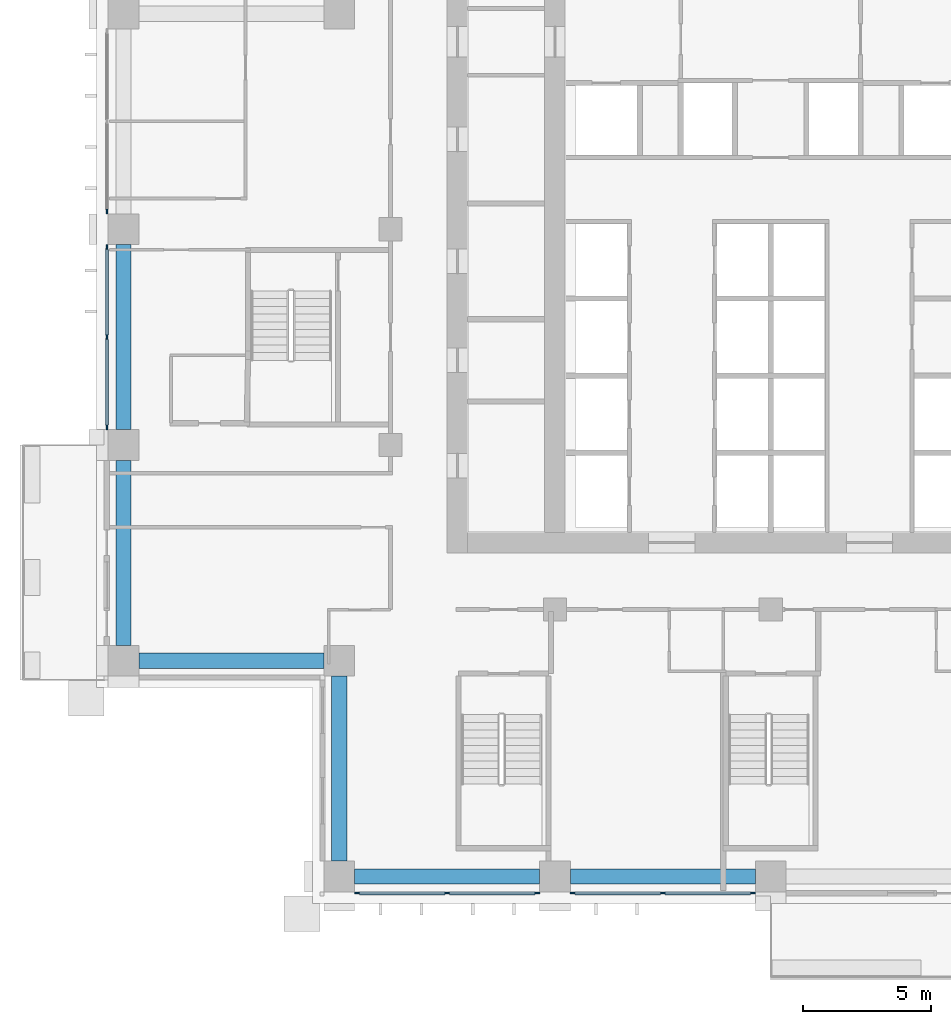
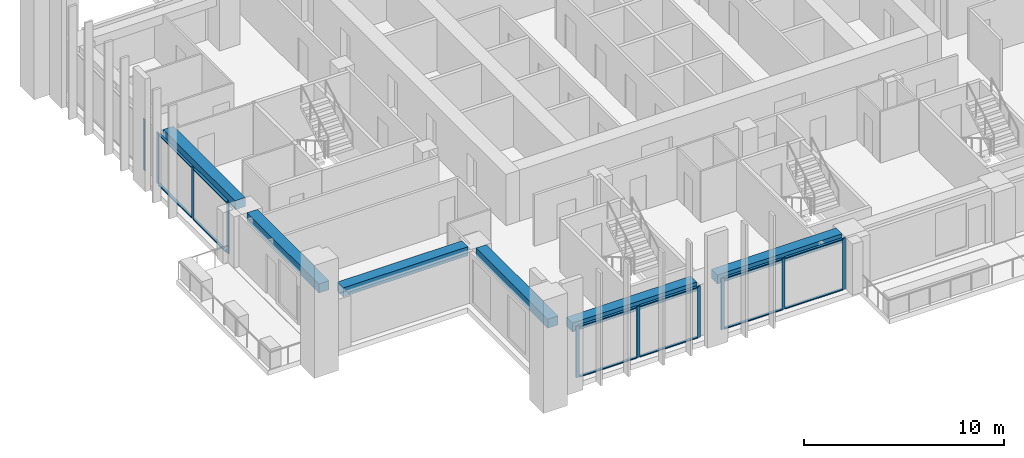
# One storey, part 2 of 19: 22 members, 6 beams, 4 elements without a shape of their own.
"""IFC4 building model written with IfcOpenShell, lengths in metres."""

from ifc_helpers import new_model, si_unit, direction, frame, origin, origin_2d, place, context, subcontext, project, spatial, rectangle, extrude, material, material_profile, profile_set, type_object, element, aggregate, save


model = new_model("IFC4")

# Units and contexts
model_context = context("Model", 3, precision=1e-05, world=origin(), true_north=direction((0.0, 1.0)))
body_context = subcontext(model_context, "Body", "Model", "MODEL_VIEW")
ifc_project = project(units=[si_unit("LENGTHUNIT", "METRE"), si_unit("AREAUNIT", "SQUARE_METRE"), si_unit("VOLUMEUNIT", "CUBIC_METRE"), si_unit("PLANEANGLEUNIT", "RADIAN"), si_unit("MASSUNIT", "GRAM", prefix="KILO")], contexts=[model_context])

# Site, building, storey
site_placement = place(None, origin())
site = spatial("IfcSite", under=ifc_project, at=site_placement, CompositionType="ELEMENT")
building_placement = place(site_placement, origin())
building = spatial("IfcBuilding", under=site, at=building_placement, Name="Vermilion Ogive Tower", CompositionType="ELEMENT")
storey_placement = place(building_placement, frame((0.0, 0.0, 90.75)))
storey = spatial("IfcBuildingStorey", under=building, at=storey_placement, Name="L22", CompositionType="ELEMENT", Elevation=90.75)

# Curtain wall, members
ifc_material_1 = material(Name="Low-iron laminated glazing in aluminium frame", Category="aluminium")
curtain_wall_type = type_object("IfcCurtainWallType", Name="Curtain wall CW7", PredefinedType="NOTDEFINED", material=ifc_material_1)
curtain_wall_1_placement = place(storey_placement, origin())
curtain_wall_1 = element("IfcCurtainWall", 1, at=curtain_wall_1_placement, inside=storey, type_object=curtain_wall_type, Name="Glazed skin S1", PredefinedType="NOTDEFINED")
ifc_material_2 = material(Name="Aluminium mullion", Category="aluminium")
ifc_material_profile_1 = material_profile(ifc_material_2, rectangle(XDim=0.06005859375, YDim=0.179931640625, at=origin_2d()), Name="AL 60x180")
ifc_profile_set_1 = profile_set([ifc_material_profile_1], Name="Aluminium mullion")
member_type_1 = type_object("IfcMemberType", Name="CW7 mullion 60x180", PredefinedType="MULLION", material=ifc_profile_set_1)
member_1_placement = place(storey_placement, frame((-16.110107421875, -21.64990234375, 0.0), z_axis=(0.0, 0.0, 1.0), x_axis=(0.0, 1.0, 0.0)))
member_1 = element("IfcMember", 2, at=member_1_placement, type_object=member_type_1, Name="CW7-S1 mullion 1", PredefinedType="MULLION", context=body_context, shape_type="SweptSolid", body=[
    extrude(rectangle(XDim=0.06005859375, YDim=0.179931640625, at=origin_2d()), origin(), (0.0, 0.0, 1.0), 3.1298828125),
])
member_2_placement = place(storey_placement, frame((-12.60009765625, -21.64990234375, 0.0), z_axis=(0.0, 0.0, 1.0), x_axis=(0.0, 1.0, 0.0)))
member_2 = element("IfcMember", 3, at=member_2_placement, type_object=member_type_1, Name="CW7-S1 mullion 2", PredefinedType="MULLION", context=body_context, shape_type="SweptSolid", body=[
    extrude(rectangle(XDim=0.06005859375, YDim=0.179931640625, at=origin_2d()), origin(), (0.0, 0.0, 1.0), 3.1298828125),
])
member_3_placement = place(storey_placement, frame((-9.090087890625, -21.64990234375, 0.0), z_axis=(0.0, 0.0, 1.0), x_axis=(0.0, 1.0, 0.0)))
member_3 = element("IfcMember", 4, at=member_3_placement, type_object=member_type_1, Name="CW7-S1 mullion 3", PredefinedType="MULLION", context=body_context, shape_type="SweptSolid", body=[
    extrude(rectangle(XDim=0.06005859375, YDim=0.179931640625, at=origin_2d()), origin(), (0.0, 0.0, 1.0), 3.1298828125),
])

curtain_wall_2_placement = place(storey_placement, origin())
curtain_wall_2 = element("IfcCurtainWall", 5, at=curtain_wall_2_placement, inside=storey, type_object=curtain_wall_type, Name="Glazed skin S2", PredefinedType="NOTDEFINED")
member_4_placement = place(storey_placement, frame((-7.7099609375, -21.64990234375, 0.0), z_axis=(0.0, 0.0, 1.0), x_axis=(0.0, 1.0, 0.0)))
member_4 = element("IfcMember", 6, at=member_4_placement, type_object=member_type_1, Name="CW7-S2 mullion 1", PredefinedType="MULLION", context=body_context, shape_type="SweptSolid", body=[
    extrude(rectangle(XDim=0.06005859375, YDim=0.179931640625, at=origin_2d()), origin(), (0.0, 0.0, 1.0), 3.1298828125),
])
member_5_placement = place(storey_placement, frame((-4.199951171875, -21.64990234375, 0.0), z_axis=(0.0, 0.0, 1.0), x_axis=(0.0, 1.0, 0.0)))
member_5 = element("IfcMember", 7, at=member_5_placement, type_object=member_type_1, Name="CW7-S2 mullion 2", PredefinedType="MULLION", context=body_context, shape_type="SweptSolid", body=[
    extrude(rectangle(XDim=0.06005859375, YDim=0.179931640625, at=origin_2d()), origin(), (0.0, 0.0, 1.0), 3.1298828125),
])
member_6_placement = place(storey_placement, frame((-0.68994140625, -21.64990234375, 0.0), z_axis=(0.0, 0.0, 1.0), x_axis=(0.0, 1.0, 0.0)))
member_6 = element("IfcMember", 8, at=member_6_placement, type_object=member_type_1, Name="CW7-S2 mullion 3", PredefinedType="MULLION", context=body_context, shape_type="SweptSolid", body=[
    extrude(rectangle(XDim=0.06005859375, YDim=0.179931640625, at=origin_2d()), origin(), (0.0, 0.0, 1.0), 3.1298828125),
])

# Curtain wall, member
curtain_wall_3_placement = place(storey_placement, origin())
curtain_wall_3 = element("IfcCurtainWall", 9, at=curtain_wall_3_placement, inside=storey, type_object=curtain_wall_type, Name="Glazed skin W1", PredefinedType="NOTDEFINED")
member_7_placement = place(storey_placement, frame((-25.85009765625, 4.889892578125, 0.0), z_axis=(0.0, 0.0, 1.0), x_axis=(1.0, 0.0, 0.0)))
member_7 = element("IfcMember", 10, at=member_7_placement, type_object=member_type_1, Name="CW7-W1 mullion 3", PredefinedType="MULLION", context=body_context, shape_type="SweptSolid", body=[
    extrude(rectangle(XDim=0.06005859375, YDim=0.179931640625, at=origin_2d()), origin(), (0.0, 0.0, 1.0), 3.1298828125),
])
aggregate(curtain_wall_3, [member_7])

# Curtain wall, members
curtain_wall_4_placement = place(storey_placement, origin())
curtain_wall_4 = element("IfcCurtainWall", 11, at=curtain_wall_4_placement, inside=storey, type_object=curtain_wall_type, Name="Glazed skin W2", PredefinedType="NOTDEFINED")
member_8_placement = place(storey_placement, frame((-25.85009765625, 3.510009765625, 0.0), z_axis=(0.0, 0.0, 1.0), x_axis=(1.0, 0.0, 0.0)))
member_8 = element("IfcMember", 12, at=member_8_placement, type_object=member_type_1, Name="CW7-W2 mullion 1", PredefinedType="MULLION", context=body_context, shape_type="SweptSolid", body=[
    extrude(rectangle(XDim=0.06005859375, YDim=0.179931640625, at=origin_2d()), origin(), (0.0, 0.0, 1.0), 3.1298828125),
])
member_9_placement = place(storey_placement, frame((-25.85009765625, 0.0, 0.0), z_axis=(0.0, 0.0, 1.0), x_axis=(1.0, 0.0, 0.0)))
member_9 = element("IfcMember", 13, at=member_9_placement, type_object=member_type_1, Name="CW7-W2 mullion 2", PredefinedType="MULLION", context=body_context, shape_type="SweptSolid", body=[
    extrude(rectangle(XDim=0.06005859375, YDim=0.179931640625, at=origin_2d()), origin(), (0.0, 0.0, 1.0), 3.1298828125),
])
member_10_placement = place(storey_placement, frame((-25.85009765625, -3.510009765625, 0.0), z_axis=(0.0, 0.0, 1.0), x_axis=(1.0, 0.0, 0.0)))
member_10 = element("IfcMember", 14, at=member_10_placement, type_object=member_type_1, Name="CW7-W2 mullion 3", PredefinedType="MULLION", context=body_context, shape_type="SweptSolid", body=[
    extrude(rectangle(XDim=0.06005859375, YDim=0.179931640625, at=origin_2d()), origin(), (0.0, 0.0, 1.0), 3.1298828125),
])

# Member
ifc_material_3 = material(Name="Aluminium transom", Category="aluminium")
ifc_material_profile_2 = material_profile(ifc_material_3, rectangle(XDim=0.139892578125, YDim=0.06005859375, at=origin_2d()), Name="AL 60x140")
ifc_profile_set_2 = profile_set([ifc_material_profile_2], Name="Aluminium transom")
member_type_2 = type_object("IfcMemberType", Name="CW7 transom 60x140", PredefinedType="USERDEFINED", material=ifc_profile_set_2)
member_11_placement = place(storey_placement, frame((-16.02001953125, -21.64990234375, 0.030029296875), z_axis=(1.0, 0.0, 0.0), x_axis=(0.0, 1.0, 0.0)))
member_11 = element("IfcMember", 15, at=member_11_placement, type_object=member_type_2, Name="CW7-S1 transom 1.1", ObjectType="TRANSOM", PredefinedType="USERDEFINED", context=body_context, shape_type="SweptSolid", body=[
    extrude(rectangle(XDim=0.139892578125, YDim=0.06005859375, at=origin_2d()), origin(), (0.0, 0.0, 1.0), 3.330078125),
])

member_12_placement = place(storey_placement, frame((-16.02001953125, -21.64990234375, 3.10009765625), z_axis=(1.0, 0.0, 0.0), x_axis=(0.0, 1.0, 0.0)))
member_12 = element("IfcMember", 16, at=member_12_placement, type_object=member_type_2, Name="CW7-S1 transom 1.2", ObjectType="TRANSOM", PredefinedType="USERDEFINED", context=body_context, shape_type="SweptSolid", body=[
    extrude(rectangle(XDim=0.139892578125, YDim=0.06005859375, at=origin_2d()), origin(), (0.0, 0.0, 1.0), 3.330078125),
])

member_13_placement = place(storey_placement, frame((-12.510009765625, -21.64990234375, 0.030029296875), z_axis=(1.0, 0.0, 0.0), x_axis=(0.0, 1.0, 0.0)))
member_13 = element("IfcMember", 17, at=member_13_placement, type_object=member_type_2, Name="CW7-S1 transom 2.1", ObjectType="TRANSOM", PredefinedType="USERDEFINED", context=body_context, shape_type="SweptSolid", body=[
    extrude(rectangle(XDim=0.139892578125, YDim=0.06005859375, at=origin_2d()), origin(), (0.0, 0.0, 1.0), 3.330078125),
])

member_14_placement = place(storey_placement, frame((-12.510009765625, -21.64990234375, 3.10009765625), z_axis=(1.0, 0.0, 0.0), x_axis=(0.0, 1.0, 0.0)))
member_14 = element("IfcMember", 18, at=member_14_placement, type_object=member_type_2, Name="CW7-S1 transom 2.2", ObjectType="TRANSOM", PredefinedType="USERDEFINED", context=body_context, shape_type="SweptSolid", body=[
    extrude(rectangle(XDim=0.139892578125, YDim=0.06005859375, at=origin_2d()), origin(), (0.0, 0.0, 1.0), 3.330078125),
])

aggregate(curtain_wall_1, [member_1, member_2, member_3, member_11, member_12, member_13, member_14])

member_15_placement = place(storey_placement, frame((-7.6201171875, -21.64990234375, 0.030029296875), z_axis=(1.0, 0.0, 0.0), x_axis=(0.0, 1.0, 0.0)))
member_15 = element("IfcMember", 19, at=member_15_placement, type_object=member_type_2, Name="CW7-S2 transom 1.1", ObjectType="TRANSOM", PredefinedType="USERDEFINED", context=body_context, shape_type="SweptSolid", body=[
    extrude(rectangle(XDim=0.139892578125, YDim=0.06005859375, at=origin_2d()), origin(), (0.0, 0.0, 1.0), 3.330078125),
])

member_16_placement = place(storey_placement, frame((-7.6201171875, -21.64990234375, 3.10009765625), z_axis=(1.0, 0.0, 0.0), x_axis=(0.0, 1.0, 0.0)))
member_16 = element("IfcMember", 20, at=member_16_placement, type_object=member_type_2, Name="CW7-S2 transom 1.2", ObjectType="TRANSOM", PredefinedType="USERDEFINED", context=body_context, shape_type="SweptSolid", body=[
    extrude(rectangle(XDim=0.139892578125, YDim=0.06005859375, at=origin_2d()), origin(), (0.0, 0.0, 1.0), 3.330078125),
])

member_17_placement = place(storey_placement, frame((-4.110107421875, -21.64990234375, 0.030029296875), z_axis=(1.0, 0.0, 0.0), x_axis=(0.0, 1.0, 0.0)))
member_17 = element("IfcMember", 21, at=member_17_placement, type_object=member_type_2, Name="CW7-S2 transom 2.1", ObjectType="TRANSOM", PredefinedType="USERDEFINED", context=body_context, shape_type="SweptSolid", body=[
    extrude(rectangle(XDim=0.139892578125, YDim=0.06005859375, at=origin_2d()), origin(), (0.0, 0.0, 1.0), 3.330078125),
])

member_18_placement = place(storey_placement, frame((-4.110107421875, -21.64990234375, 3.10009765625), z_axis=(1.0, 0.0, 0.0), x_axis=(0.0, 1.0, 0.0)))
member_18 = element("IfcMember", 22, at=member_18_placement, type_object=member_type_2, Name="CW7-S2 transom 2.2", ObjectType="TRANSOM", PredefinedType="USERDEFINED", context=body_context, shape_type="SweptSolid", body=[
    extrude(rectangle(XDim=0.139892578125, YDim=0.06005859375, at=origin_2d()), origin(), (0.0, 0.0, 1.0), 3.330078125),
])

aggregate(curtain_wall_2, [member_4, member_5, member_6, member_15, member_16, member_17, member_18])

member_19_placement = place(storey_placement, frame((-25.85009765625, 3.419921875, 0.030029296875), z_axis=(0.0, -1.0, 0.0), x_axis=(1.0, 0.0, 0.0)))
member_19 = element("IfcMember", 23, at=member_19_placement, type_object=member_type_2, Name="CW7-W2 transom 1.1", ObjectType="TRANSOM", PredefinedType="USERDEFINED", context=body_context, shape_type="SweptSolid", body=[
    extrude(rectangle(XDim=0.139892578125, YDim=0.06005859375, at=origin_2d()), origin(), (0.0, 0.0, 1.0), 3.329833984375),
])

member_20_placement = place(storey_placement, frame((-25.85009765625, 3.419921875, 3.10009765625), z_axis=(0.0, -1.0, 0.0), x_axis=(1.0, 0.0, 0.0)))
member_20 = element("IfcMember", 24, at=member_20_placement, type_object=member_type_2, Name="CW7-W2 transom 1.2", ObjectType="TRANSOM", PredefinedType="USERDEFINED", context=body_context, shape_type="SweptSolid", body=[
    extrude(rectangle(XDim=0.139892578125, YDim=0.06005859375, at=origin_2d()), origin(), (0.0, 0.0, 1.0), 3.329833984375),
])

member_21_placement = place(storey_placement, frame((-25.85009765625, -0.090087890625, 0.030029296875), z_axis=(0.0, -1.0, 0.0), x_axis=(1.0, 0.0, 0.0)))
member_21 = element("IfcMember", 25, at=member_21_placement, type_object=member_type_2, Name="CW7-W2 transom 2.1", ObjectType="TRANSOM", PredefinedType="USERDEFINED", context=body_context, shape_type="SweptSolid", body=[
    extrude(rectangle(XDim=0.139892578125, YDim=0.06005859375, at=origin_2d()), origin(), (0.0, 0.0, 1.0), 3.329833984375),
])

member_22_placement = place(storey_placement, frame((-25.85009765625, -0.090087890625, 3.10009765625), z_axis=(0.0, -1.0, 0.0), x_axis=(1.0, 0.0, 0.0)))
member_22 = element("IfcMember", 26, at=member_22_placement, type_object=member_type_2, Name="CW7-W2 transom 2.2", ObjectType="TRANSOM", PredefinedType="USERDEFINED", context=body_context, shape_type="SweptSolid", body=[
    extrude(rectangle(XDim=0.139892578125, YDim=0.06005859375, at=origin_2d()), origin(), (0.0, 0.0, 1.0), 3.329833984375),
])

aggregate(curtain_wall_4, [member_8, member_9, member_10, member_19, member_20, member_21, member_22])

# Beams
ifc_material_4 = material(Name="Concrete B45", Category="concrete")
ifc_material_profile_3 = material_profile(ifc_material_4, rectangle(XDim=0.60009765625, YDim=0.550048828125, at=origin_2d()), Name="600 x 550")
ifc_profile_set_3 = profile_set([ifc_material_profile_3], Name="Concrete B45")
beam_type = type_object("IfcBeamType", Name="Edge beam 600 x 550 B45", PredefinedType="BEAM", material=ifc_profile_set_3)
for number, where, z_axis, x_axis, name in (
    (27, (-16.199951171875, -21.0, 2.85498046875), (1.0, 0.0, 0.0), (0.0, 1.0, 0.0), "L22-EB-1"),
    (28, (-7.800048828125, -21.0, 2.85498046875), (1.0, 0.0, 0.0), (0.0, 1.0, 0.0), "L22-EB-2"),
):
    element("IfcBeam", number, at=place(storey_placement, frame(where, z_axis=z_axis, x_axis=x_axis)), inside=storey, type_object=beam_type, Name=name, PredefinedType="BEAM", context=body_context, shape_type="SweptSolid", body=[
        extrude(rectangle(XDim=0.60009765625, YDim=0.550048828125, at=origin_2d()), origin(), (0.0, 0.0, 1.0), 7.199951171875),
    ])
beam_1_placement = place(storey_placement, frame((-25.199951171875, 3.60009765625, 2.85498046875), z_axis=(0.0, -1.0, 0.0), x_axis=(1.0, 0.0, 0.0)))
element("IfcBeam", 29, at=beam_1_placement, inside=storey, type_object=beam_type, Name="L22-EB-15", PredefinedType="BEAM", context=body_context, shape_type="SweptSolid", body=[
    extrude(rectangle(XDim=0.60009765625, YDim=0.550048828125, at=origin_2d()), origin(), (0.0, 0.0, 1.0), 7.2001953125),
])
beam_2_placement = place(storey_placement, frame((-25.199951171875, -4.800048828125, 2.85498046875), z_axis=(0.0, -1.0, 0.0), x_axis=(1.0, 0.0, 0.0)))
element("IfcBeam", 30, at=beam_2_placement, inside=storey, type_object=beam_type, Name="L22-EB-16", PredefinedType="BEAM", context=body_context, shape_type="SweptSolid", body=[
    extrude(rectangle(XDim=0.60009765625, YDim=0.550048828125, at=origin_2d()), origin(), (0.0, 0.0, 1.0), 7.199951171875),
])
beam_3_placement = place(storey_placement, frame((-24.60009765625, -12.60009765625, 2.85498046875), z_axis=(1.0, 0.0, 0.0), x_axis=(0.0, 1.0, 0.0)))
element("IfcBeam", 31, at=beam_3_placement, inside=storey, type_object=beam_type, Name="L22-EB-17", PredefinedType="BEAM", context=body_context, shape_type="SweptSolid", body=[
    extrude(rectangle(XDim=0.60009765625, YDim=0.550048828125, at=origin_2d()), origin(), (0.0, 0.0, 1.0), 7.2001953125),
])
beam_4_placement = place(storey_placement, frame((-16.800048828125, -13.199951171875, 2.85498046875), z_axis=(0.0, -1.0, 0.0), x_axis=(1.0, 0.0, 0.0)))
element("IfcBeam", 32, at=beam_4_placement, inside=storey, type_object=beam_type, Name="L22-EB-18", PredefinedType="BEAM", context=body_context, shape_type="SweptSolid", body=[
    extrude(rectangle(XDim=0.60009765625, YDim=0.550048828125, at=origin_2d()), origin(), (0.0, 0.0, 1.0), 7.199951171875),
])

save(model, "model.ifc")
